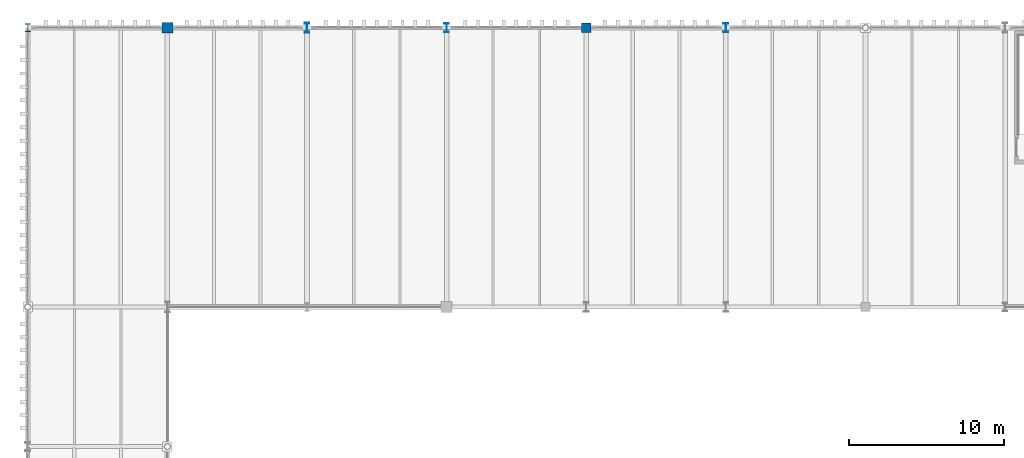
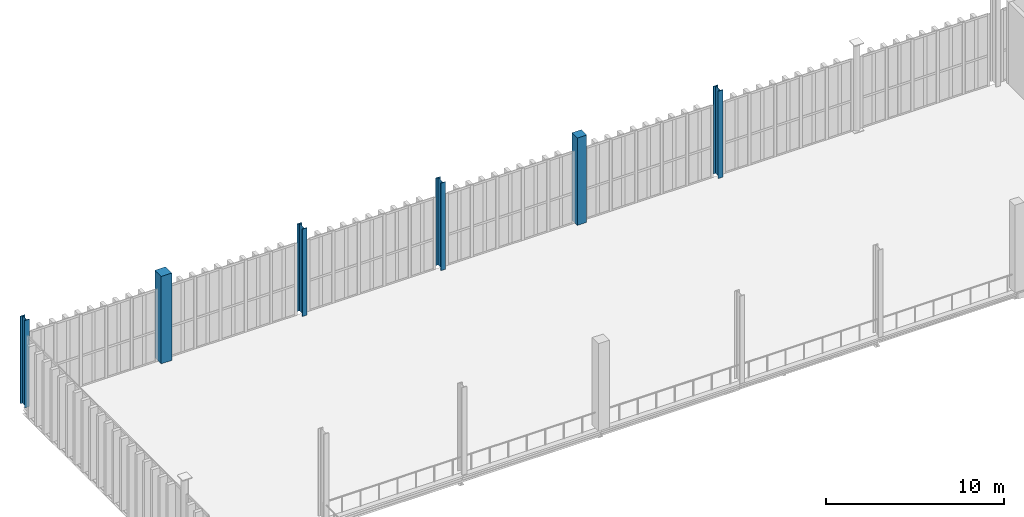
# One storey, part 22 of 211: 6 columns.
"""IFC4 building model written with IfcOpenShell, lengths in metres."""

from ifc_helpers import new_model, si_unit, direction, frame, origin, origin_2d, place, context, subcontext, project, spatial, rectangle, i_section, extrude, material, material_profile, profile_set, type_object, element, save


model = new_model("IFC4")

# Units and contexts
model_context = context("Model", 3, precision=1e-05, world=origin(), true_north=direction((0.0, 1.0)))
body_context = subcontext(model_context, "Body", "Model", "MODEL_VIEW")
ifc_project = project(units=[si_unit("LENGTHUNIT", "METRE"), si_unit("AREAUNIT", "SQUARE_METRE"), si_unit("VOLUMEUNIT", "CUBIC_METRE"), si_unit("PLANEANGLEUNIT", "RADIAN"), si_unit("MASSUNIT", "GRAM", prefix="KILO")], contexts=[model_context])

# Site, building, storey
site_placement = place(None, origin())
site = spatial("IfcSite", under=ifc_project, at=site_placement, CompositionType="ELEMENT")
building_placement = place(site_placement, origin())
building = spatial("IfcBuilding", under=site, at=building_placement, Name="Barlavento Convention Centre", CompositionType="ELEMENT")
storey_placement = place(building_placement, frame((0.0, 0.0, 6.0)))
storey = spatial("IfcBuildingStorey", under=building, at=storey_placement, Name="L01", CompositionType="ELEMENT", Elevation=6.0)

# Columns
ifc_material_1 = material(Name="Steel S355", Category="steel")
ifc_material_profile_1 = material_profile(ifc_material_1, i_section(OverallWidth=0.300048828125, OverallDepth=0.60009765625, WebThickness=0.015380859375, FlangeThickness=0.030029296875, FilletRadius=0.027099609375, at=origin_2d()), Name="HEB 600")
ifc_profile_set_1 = profile_set([ifc_material_profile_1], Name="Steel S355")
column_type_1 = type_object("IfcColumnType", Name="STR-COL-HEB600", PredefinedType="COLUMN", material=ifc_profile_set_1)
column_1_placement = place(storey_placement, frame((27.0, 135.0, 0.0), z_axis=(0.0, 0.0, 1.0), x_axis=(1.0, 0.0, 0.0)))
element("IfcColumn", 1, at=column_1_placement, inside=storey, type_object=column_type_1, Name="L01 column SC08", PredefinedType="COLUMN", context=body_context, shape_type="SweptSolid", body=[
    extrude(i_section(OverallWidth=0.300048828125, OverallDepth=0.60009765625, WebThickness=0.015380859375, FlangeThickness=0.030029296875, FilletRadius=0.027099609375, at=origin_2d()), origin(), (0.0, 0.0, 1.0), 6.0),
])
ifc_material_profile_2 = material_profile(ifc_material_1, i_section(OverallWidth=0.305908203125, OverallDepth=0.52392578125, WebThickness=0.02099609375, FlangeThickness=0.0400390625, FilletRadius=0.027099609375, at=origin_2d()), Name="HEM 500")
ifc_profile_set_2 = profile_set([ifc_material_profile_2], Name="Steel S355")
column_type_2 = type_object("IfcColumnType", Name="STR-COL-HEM500", PredefinedType="COLUMN", material=ifc_profile_set_2)
column_2_placement = place(storey_placement, frame((0.0, 135.0, 0.0), z_axis=(0.0, 0.0, 1.0), x_axis=(1.0, 0.0, 0.0)))
element("IfcColumn", 2, at=column_2_placement, inside=storey, type_object=column_type_2, Name="L01 column SC07", PredefinedType="COLUMN", context=body_context, shape_type="SweptSolid", body=[
    extrude(i_section(OverallWidth=0.305908203125, OverallDepth=0.52392578125, WebThickness=0.02099609375, FlangeThickness=0.0400390625, FilletRadius=0.027099609375, at=origin_2d()), origin(), (0.0, 0.0, 1.0), 6.0),
])
ifc_material_profile_3 = material_profile(ifc_material_1, i_section(OverallWidth=0.305908203125, OverallDepth=0.572021484375, WebThickness=0.02099609375, FlangeThickness=0.0400390625, FilletRadius=0.027099609375, at=origin_2d()), Name="HEM 550")
ifc_profile_set_3 = profile_set([ifc_material_profile_3], Name="Steel S355")
column_type_3 = type_object("IfcColumnType", Name="STR-COL-HEM550", PredefinedType="COLUMN", material=ifc_profile_set_3)
column_3_placement = place(storey_placement, frame((45.0, 135.0, 0.0), z_axis=(0.0, 0.0, 1.0), x_axis=(1.0, 0.0, 0.0)))
element("IfcColumn", 3, at=column_3_placement, inside=storey, type_object=column_type_3, Name="L01 column SC06", PredefinedType="COLUMN", context=body_context, shape_type="SweptSolid", body=[
    extrude(i_section(OverallWidth=0.305908203125, OverallDepth=0.572021484375, WebThickness=0.02099609375, FlangeThickness=0.0400390625, FilletRadius=0.027099609375, at=origin_2d()), origin(), (0.0, 0.0, 1.0), 6.0),
])
ifc_material_profile_4 = material_profile(ifc_material_1, i_section(OverallWidth=0.304931640625, OverallDepth=0.6201171875, WebThickness=0.02099609375, FlangeThickness=0.0400390625, FilletRadius=0.027099609375, at=origin_2d()), Name="HEM 600")
ifc_profile_set_4 = profile_set([ifc_material_profile_4], Name="Steel S355")
column_type_4 = type_object("IfcColumnType", Name="STR-COL-HEM600", PredefinedType="COLUMN", material=ifc_profile_set_4)
column_4_placement = place(storey_placement, frame((18.0, 135.0, 0.0), z_axis=(0.0, 0.0, 1.0), x_axis=(1.0, 0.0, 0.0)))
element("IfcColumn", 4, at=column_4_placement, inside=storey, type_object=column_type_4, Name="L01 column SC05", PredefinedType="COLUMN", context=body_context, shape_type="SweptSolid", body=[
    extrude(i_section(OverallWidth=0.304931640625, OverallDepth=0.6201171875, WebThickness=0.02099609375, FlangeThickness=0.0400390625, FilletRadius=0.027099609375, at=origin_2d()), origin(), (0.0, 0.0, 1.0), 6.0),
])
ifc_material_2 = material(Name="Concrete C40/50", Category="concrete")
ifc_material_profile_5 = material_profile(ifc_material_2, rectangle(XDim=0.60009765625, YDim=0.60009765625, at=origin_2d()), Name="RC 600x600")
ifc_profile_set_5 = profile_set([ifc_material_profile_5], Name="Concrete C40/50")
column_type_5 = type_object("IfcColumnType", Name="STR-COL-RC600", PredefinedType="COLUMN", material=ifc_profile_set_5)
column_5_placement = place(storey_placement, frame((36.0, 135.0, 0.0), z_axis=(0.0, 0.0, 1.0), x_axis=(1.0, 0.0, 0.0)))
element("IfcColumn", 5, at=column_5_placement, inside=storey, type_object=column_type_5, Name="L01 column CC07", PredefinedType="COLUMN", context=body_context, shape_type="SweptSolid", body=[
    extrude(rectangle(XDim=0.60009765625, YDim=0.60009765625, at=origin_2d()), origin(), (0.0, 0.0, 1.0), 6.0),
])
ifc_material_profile_6 = material_profile(ifc_material_2, rectangle(XDim=0.699951171875, YDim=0.699951171875, at=origin_2d()), Name="RC 700x700")
ifc_profile_set_6 = profile_set([ifc_material_profile_6], Name="Concrete C40/50")
column_type_6 = type_object("IfcColumnType", Name="STR-COL-RC700", PredefinedType="COLUMN", material=ifc_profile_set_6)
column_6_placement = place(storey_placement, frame((9.0, 135.0, 0.0), z_axis=(0.0, 0.0, 1.0), x_axis=(1.0, 0.0, 0.0)))
element("IfcColumn", 6, at=column_6_placement, inside=storey, type_object=column_type_6, Name="L01 column CC06", PredefinedType="COLUMN", context=body_context, shape_type="SweptSolid", body=[
    extrude(rectangle(XDim=0.699951171875, YDim=0.699951171875, at=origin_2d()), origin(), (0.0, 0.0, 1.0), 6.0),
])

save(model, "model.ifc")
